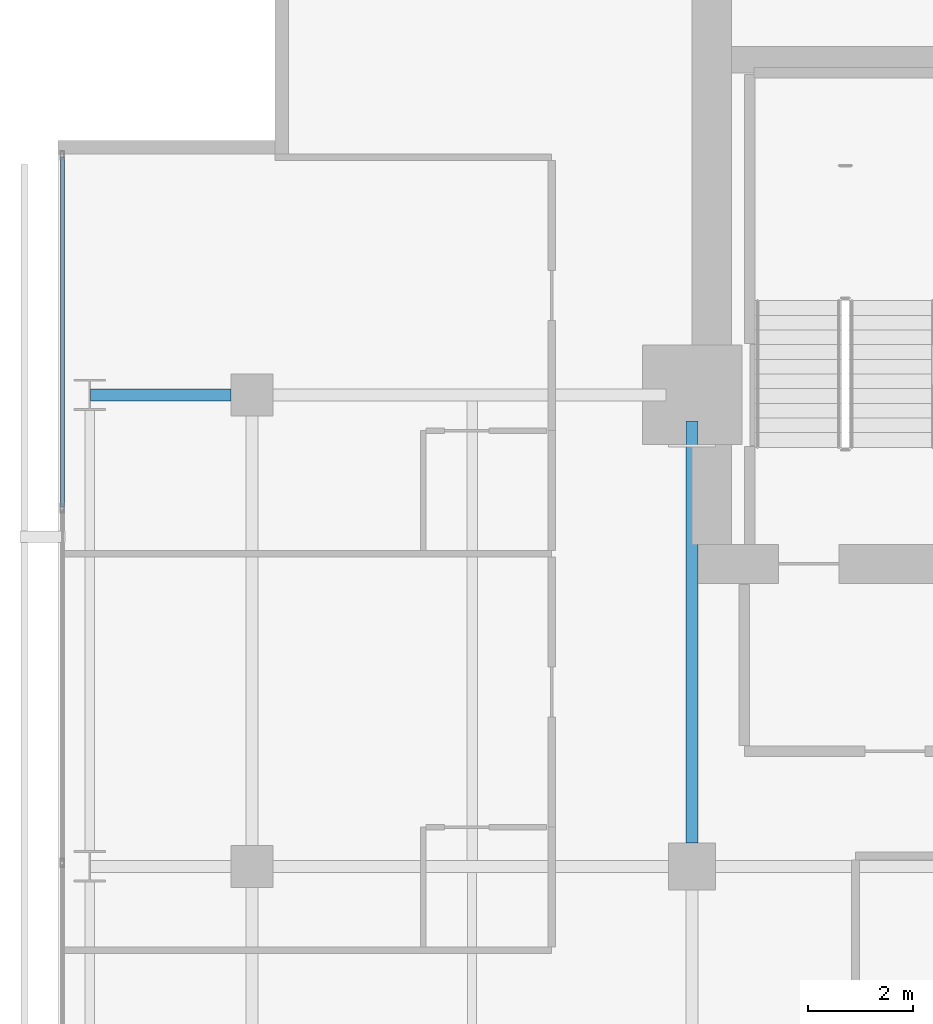
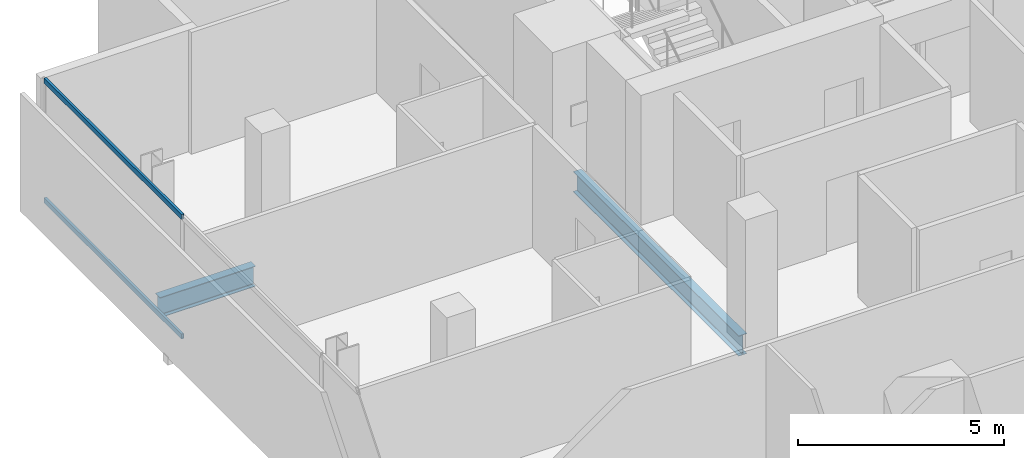
# One storey, part 19 of 34: 2 beams, 2 members, 1 element without a shape of its own.
"""IFC4 building model written with IfcOpenShell, lengths in metres."""

from ifc_helpers import new_model, si_unit, direction, frame, origin, origin_2d, place, context, subcontext, project, spatial, hollow_rectangle, i_section, extrude, material, layer, layer_set, material_profile, profile_set, type_object, element, aggregate, save


model = new_model("IFC4")

# Units and contexts
model_context = context("Model", 3, precision=1e-05, world=origin(), true_north=direction((0.0, 1.0)))
body_context = subcontext(model_context, "Body", "Model", "MODEL_VIEW")
ifc_project = project(units=[si_unit("LENGTHUNIT", "METRE"), si_unit("AREAUNIT", "SQUARE_METRE"), si_unit("VOLUMEUNIT", "CUBIC_METRE"), si_unit("PLANEANGLEUNIT", "RADIAN"), si_unit("MASSUNIT", "GRAM", prefix="KILO")], contexts=[model_context])

# Site, building, storey
site_placement = place(None, origin())
site = spatial("IfcSite", under=ifc_project, at=site_placement, CompositionType="ELEMENT")
building_placement = place(site_placement, origin())
building = spatial("IfcBuilding", under=site, at=building_placement, Name="Maruvema Waterfront Hotel and Observation Tower", CompositionType="ELEMENT")
storey_placement = place(building_placement, frame((0.0, 0.0, 192.85009765625)))
storey = spatial("IfcBuildingStorey", under=building, at=storey_placement, Name="L47", CompositionType="ELEMENT", Elevation=192.85009765625)

# Curtain wall, members
ifc_material_1 = material(Name="Anodised bronze aluminium and solar-control low-E IGU", Category="aluminium")
ifc_layer = layer(ifc_material_1, 0.159912109375, Name="Zone 2 Amber Inner Thermal Curtain Wall System CW-03")
ifc_layer_set = layer_set([ifc_layer], Name="Anodised bronze aluminium and solar-control low-E IGU")
curtain_wall_type = type_object("IfcCurtainWallType", Name="Zone 2 Amber Inner Thermal Curtain Wall System CW-03", PredefinedType="USERDEFINED", material=ifc_layer_set)
curtain_wall_placement = place(storey_placement, origin())
curtain_wall = element("IfcCurtainWall", 1, at=curtain_wall_placement, inside=storey, type_object=curtain_wall_type, Name="L47 Curtain Wall CW-L47-W", ObjectType="UNITISED CURTAIN WALL", PredefinedType="USERDEFINED")
ifc_material_2 = material(Name="Anodised architectural bronze aluminium", Category="aluminium")
ifc_material_profile_1 = material_profile(ifc_material_2, hollow_rectangle(XDim=0.070068359375, YDim=0.14990234375, WallThickness=0.00390625, at=origin_2d()), Name="ALU-T70x150")
ifc_profile_set_1 = profile_set([ifc_material_profile_1], Name="Anodised architectural bronze aluminium")
member_type = type_object("IfcMemberType", Name="Curtain Wall Horizontal Transom ALU-T70x150", PredefinedType="USERDEFINED", material=ifc_profile_set_1)
member_1_placement = place(storey_placement, frame((13.179931640625, 49.5400390625, 0.02978515625), z_axis=(0.0, -1.0, 0.0), x_axis=(1.0, 0.0, 0.0)))
member_1 = element("IfcMember", 2, at=member_1_placement, type_object=member_type, Name="CW-03 transom 1.1", ObjectType="TRANSOM", PredefinedType="USERDEFINED", context=body_context, shape_type="SweptSolid", body=[
    extrude(hollow_rectangle(XDim=0.070068359375, YDim=0.14990234375, WallThickness=0.00390625, at=origin_2d()), origin(), (0.0, 0.0, 1.0), 6.6767578125),
])
member_2_placement = place(storey_placement, frame((13.179931640625, 49.5400390625, 3.579833984375), z_axis=(0.0, -1.0, 0.0), x_axis=(1.0, 0.0, 0.0)))
member_2 = element("IfcMember", 3, at=member_2_placement, type_object=member_type, Name="CW-03 transom 1.2", ObjectType="TRANSOM", PredefinedType="USERDEFINED", context=body_context, shape_type="SweptSolid", body=[
    extrude(hollow_rectangle(XDim=0.070068359375, YDim=0.14990234375, WallThickness=0.00390625, at=origin_2d()), origin(), (0.0, 0.0, 1.0), 6.6767578125),
])
aggregate(curtain_wall, [member_1, member_2])

# Beams
ifc_material_3 = material(Name="Steel ASTM A572 Grade 50", Category="steel")
ifc_material_profile_2 = material_profile(ifc_material_3, i_section(OverallWidth=0.22802734375, OverallDepth=0.60302734375, WebThickness=0.010498046875, FlangeThickness=0.014892578125, FilletRadius=0.01806640625, at=origin_2d()), Name="W610x101.0")
ifc_profile_set_2 = profile_set([ifc_material_profile_2], Name="Steel ASTM A572 Grade 50")
beam_type = type_object("IfcBeamType", Name="Primary Floor Girder W610x101.0", PredefinedType="BEAM", material=ifc_profile_set_2)
beam_1_placement = place(storey_placement, frame((13.71240234375, 45.0, -0.54150390625), z_axis=(1.0, 0.0, 0.0), x_axis=(0.0, 1.0, 0.0)))
element("IfcBeam", 4, at=beam_1_placement, inside=storey, type_object=beam_type, Name="L47 Floor Girder EW-30", PredefinedType="BEAM", context=body_context, shape_type="SweptSolid", body=[
    extrude(i_section(OverallWidth=0.22802734375, OverallDepth=0.60302734375, WebThickness=0.010498046875, FlangeThickness=0.014892578125, FilletRadius=0.01806640625, at=origin_2d()), origin(), (0.0, 0.0, 1.0), 2.6875),
])
beam_2_placement = place(storey_placement, frame((25.199951171875, 36.449951171875, -0.54150390625), z_axis=(0.0, 1.0, 0.0), x_axis=(-1.0, 0.0, 0.0)))
element("IfcBeam", 5, at=beam_2_placement, inside=storey, type_object=beam_type, Name="L47 Floor Girder NS-13", PredefinedType="BEAM", context=body_context, shape_type="SweptSolid", body=[
    extrude(i_section(OverallWidth=0.22802734375, OverallDepth=0.60302734375, WebThickness=0.010498046875, FlangeThickness=0.014892578125, FilletRadius=0.01806640625, at=origin_2d()), origin(), (0.0, 0.0, 1.0), 8.050048828125),
])

save(model, "model.ifc")
